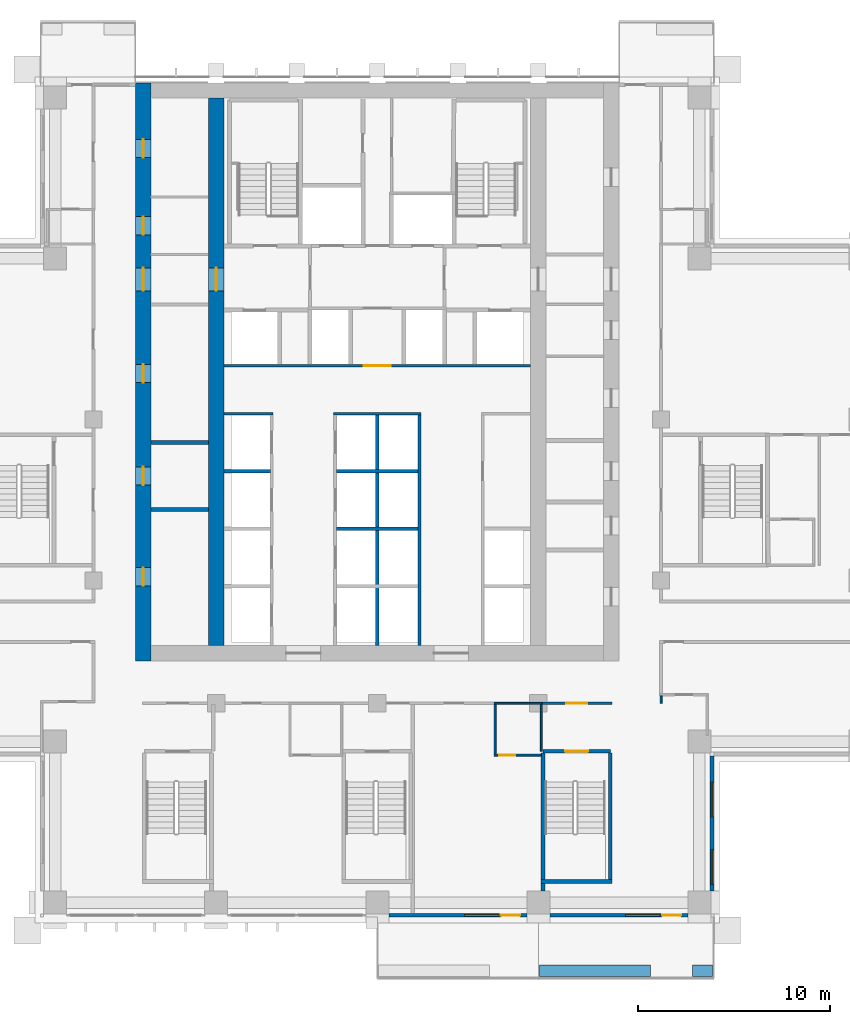
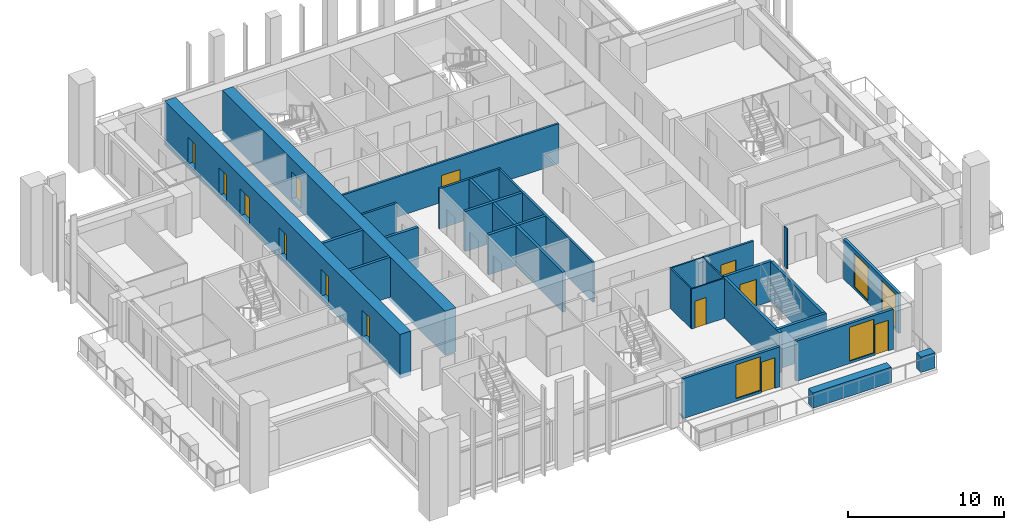
# One storey, part 10 of 19: 27 walls, 13 doors, 4 windows, 17 openings.
"""IFC4 building model written with IfcOpenShell, lengths in metres."""

from ifc_helpers import new_model, si_unit, direction, frame, frame_2d, origin, place, context, subcontext, project, spatial, rectangle, extrude, material, layer, layer_set, type_object, element, fill, save


model = new_model("IFC4")

# Units and contexts
model_context = context("Model", 3, precision=1e-05, world=origin(), true_north=direction((0.0, 1.0)))
body_context = subcontext(model_context, "Body", "Model", "MODEL_VIEW")
ifc_project = project(units=[si_unit("LENGTHUNIT", "METRE"), si_unit("AREAUNIT", "SQUARE_METRE"), si_unit("VOLUMEUNIT", "CUBIC_METRE"), si_unit("PLANEANGLEUNIT", "RADIAN"), si_unit("MASSUNIT", "GRAM", prefix="KILO")], contexts=[model_context])

# Site, building, storey
site_placement = place(None, origin())
site = spatial("IfcSite", under=ifc_project, at=site_placement, CompositionType="ELEMENT")
building_placement = place(site_placement, origin())
building = spatial("IfcBuilding", under=site, at=building_placement, Name="Vermilion Ogive Tower", CompositionType="ELEMENT")
storey_placement = place(building_placement, frame((0.0, 0.0, 104.550048828125)))
storey = spatial("IfcBuildingStorey", under=building, at=storey_placement, Name="L26", CompositionType="ELEMENT", Elevation=104.550048828125)

# Wall, openings, doors
ifc_material_1 = material(Name="Concrete B80", Category="concrete")
ifc_layer_1 = layer(ifc_material_1, 0.800048828125)
ifc_layer_set_1 = layer_set([ifc_layer_1], Name="Core wall 800 B80")
wall_type_1 = type_object("IfcWallType", Name="Core wall 800 B80", PredefinedType="SHEAR", material=ifc_layer_set_1)
wall_1_placement = place(storey_placement, frame((-12.199951171875, -8.39990234375, -0.320068359375), z_axis=(0.0, 0.0, 1.0), x_axis=(0.0, 1.0, 0.0)))
wall_1 = element("IfcWall", 1, at=wall_1_placement, inside=storey, type_object=wall_type_1, Name="L26-CORE-W", PredefinedType="SHEAR", context=body_context, shape_type="SweptSolid", body=[
    extrude(rectangle(XDim=30.14990234375, YDim=0.800048828125, at=frame_2d((15.074951171875, 0.0))), origin(), (0.0, 0.0, 1.0), 3.449951171875),
])
opening_1_placement = place(wall_1_placement, frame((3.925048828125, 0.0, 0.320068359375)))
opening_1 = element("IfcOpeningElement", 2, at=opening_1_placement, cuts=wall_1, Name="Opening DAD051", PredefinedType="OPENING", context=body_context, shape_type="SweptSolid", body=[
    extrude(rectangle(XDim=0.949951171875, YDim=2.10009765625, at=frame_2d((0.47509765625, 1.050048828125))), frame((0.0, 0.409912109375, 0.0), z_axis=(0.0, -1.0, 0.0), x_axis=(1.0, 0.0, 0.0)), (0.0, 0.0, 1.0), 0.820068359375),
])
opening_2_placement = place(wall_1_placement, frame((9.175048828125, 0.0, 0.320068359375)))
opening_2 = element("IfcOpeningElement", 3, at=opening_2_placement, cuts=wall_1, Name="Opening DAD052", PredefinedType="OPENING", context=body_context, shape_type="SweptSolid", body=[
    extrude(rectangle(XDim=0.949951171875, YDim=2.10009765625, at=frame_2d((0.47509765625, 1.050048828125))), frame((0.0, 0.409912109375, 0.0), z_axis=(0.0, -1.0, 0.0), x_axis=(1.0, 0.0, 0.0)), (0.0, 0.0, 1.0), 0.820068359375),
])
opening_3_placement = place(wall_1_placement, frame((14.52490234375, 0.0, 0.320068359375)))
opening_3 = element("IfcOpeningElement", 4, at=opening_3_placement, cuts=wall_1, Name="Opening DAD053", PredefinedType="OPENING", context=body_context, shape_type="SweptSolid", body=[
    extrude(rectangle(XDim=0.949951171875, YDim=2.10009765625, at=frame_2d((0.47509765625, 1.050048828125))), frame((0.0, 0.409912109375, 0.0), z_axis=(0.0, -1.0, 0.0), x_axis=(1.0, 0.0, 0.0)), (0.0, 0.0, 1.0), 0.820068359375),
])
opening_4_placement = place(wall_1_placement, frame((22.22509765625, 0.0, 0.320068359375)))
opening_4 = element("IfcOpeningElement", 5, at=opening_4_placement, cuts=wall_1, Name="Opening DAD054", PredefinedType="OPENING", context=body_context, shape_type="SweptSolid", body=[
    extrude(rectangle(XDim=0.949951171875, YDim=2.10009765625, at=frame_2d((0.47509765625, 1.050048828125))), frame((0.0, 0.409912109375, 0.0), z_axis=(0.0, -1.0, 0.0), x_axis=(1.0, 0.0, 0.0)), (0.0, 0.0, 1.0), 0.820068359375),
])
opening_5_placement = place(wall_1_placement, frame((26.25, 0.0, 0.320068359375)))
opening_5 = element("IfcOpeningElement", 6, at=opening_5_placement, cuts=wall_1, Name="Opening DAD055", PredefinedType="OPENING", context=body_context, shape_type="SweptSolid", body=[
    extrude(rectangle(XDim=0.949951171875, YDim=2.10009765625, at=frame_2d((0.47509765625, 1.050048828125))), frame((0.0, 0.409912109375, 0.0), z_axis=(0.0, -1.0, 0.0), x_axis=(1.0, 0.0, 0.0)), (0.0, 0.0, 1.0), 0.820068359375),
])
opening_6_placement = place(wall_1_placement, frame((19.300048828125, 0.0, 0.320068359375)))
opening_6 = element("IfcOpeningElement", 7, at=opening_6_placement, cuts=wall_1, Name="Opening DAM010", PredefinedType="OPENING", context=body_context, shape_type="SweptSolid", body=[
    extrude(rectangle(XDim=1.199951171875, YDim=2.10009765625, at=frame_2d((0.60009765625, 1.050048828125))), frame((0.0, 0.409912109375, 0.0), z_axis=(0.0, -1.0, 0.0), x_axis=(1.0, 0.0, 0.0)), (0.0, 0.0, 1.0), 0.820068359375),
])
ifc_material_2 = material(Name="Timber door leaf", Category="wood")
door_type_1 = type_object("IfcDoorType", Name="Link door 1200 x 2100 FD60S", OperationType="SINGLE_SWING_LEFT", PredefinedType="DOOR", material=ifc_material_2)
door_1_placement = place(opening_6_placement, origin())
door_1 = element("IfcDoor", 8, at=door_1_placement, inside=storey, type_object=door_type_1, Name="L26-CKW-XL", OperationType="SINGLE_SWING_LEFT", OverallHeight=2.10009765625, OverallWidth=1.199951171875, PredefinedType="DOOR", context=body_context, shape_type="SweptSolid", body=[
    extrude(rectangle(XDim=1.199951171875, YDim=2.10009765625, at=frame_2d((0.60009765625, 1.050048828125))), frame((0.0, 0.02490234375, 0.0), z_axis=(0.0, -1.0, 0.0), x_axis=(1.0, 0.0, 0.0)), (0.0, 0.0, 1.0), 0.050048828125),
])
fill(opening_6, door_1)
ifc_material_3 = material(Name="Timber door leaf", Category="wood")
door_type_2 = type_object("IfcDoorType", Name="Service door 950 x 2100 FD60", OperationType="SINGLE_SWING_LEFT", PredefinedType="DOOR", material=ifc_material_3)
door_2_placement = place(opening_1_placement, origin())
door_2 = element("IfcDoor", 9, at=door_2_placement, inside=storey, type_object=door_type_2, Name="L26-CKW-XR0", OperationType="SINGLE_SWING_LEFT", OverallHeight=2.10009765625, OverallWidth=0.949951171875, PredefinedType="DOOR", context=body_context, shape_type="SweptSolid", body=[
    extrude(rectangle(XDim=0.949951171875, YDim=2.10009765625, at=frame_2d((0.47509765625, 1.050048828125))), frame((0.0, 0.02490234375, 0.0), z_axis=(0.0, -1.0, 0.0), x_axis=(1.0, 0.0, 0.0)), (0.0, 0.0, 1.0), 0.050048828125),
])
fill(opening_1, door_2)
door_3_placement = place(opening_2_placement, origin())
door_3 = element("IfcDoor", 10, at=door_3_placement, inside=storey, type_object=door_type_2, Name="L26-CKW-XR1", OperationType="SINGLE_SWING_LEFT", OverallHeight=2.10009765625, OverallWidth=0.949951171875, PredefinedType="DOOR", context=body_context, shape_type="SweptSolid", body=[
    extrude(rectangle(XDim=0.949951171875, YDim=2.10009765625, at=frame_2d((0.47509765625, 1.050048828125))), frame((0.0, 0.02490234375, 0.0), z_axis=(0.0, -1.0, 0.0), x_axis=(1.0, 0.0, 0.0)), (0.0, 0.0, 1.0), 0.050048828125),
])
fill(opening_2, door_3)
door_4_placement = place(opening_3_placement, origin())
door_4 = element("IfcDoor", 11, at=door_4_placement, inside=storey, type_object=door_type_2, Name="L26-CKW-XR2", OperationType="SINGLE_SWING_LEFT", OverallHeight=2.10009765625, OverallWidth=0.949951171875, PredefinedType="DOOR", context=body_context, shape_type="SweptSolid", body=[
    extrude(rectangle(XDim=0.949951171875, YDim=2.10009765625, at=frame_2d((0.47509765625, 1.050048828125))), frame((0.0, 0.02490234375, 0.0), z_axis=(0.0, -1.0, 0.0), x_axis=(1.0, 0.0, 0.0)), (0.0, 0.0, 1.0), 0.050048828125),
])
fill(opening_3, door_4)
door_5_placement = place(opening_4_placement, origin())
door_5 = element("IfcDoor", 12, at=door_5_placement, inside=storey, type_object=door_type_2, Name="L26-CKW-XR3", OperationType="SINGLE_SWING_LEFT", OverallHeight=2.10009765625, OverallWidth=0.949951171875, PredefinedType="DOOR", context=body_context, shape_type="SweptSolid", body=[
    extrude(rectangle(XDim=0.949951171875, YDim=2.10009765625, at=frame_2d((0.47509765625, 1.050048828125))), frame((0.0, 0.02490234375, 0.0), z_axis=(0.0, -1.0, 0.0), x_axis=(1.0, 0.0, 0.0)), (0.0, 0.0, 1.0), 0.050048828125),
])
fill(opening_4, door_5)
door_6_placement = place(opening_5_placement, origin())
door_6 = element("IfcDoor", 13, at=door_6_placement, inside=storey, type_object=door_type_2, Name="L26-CKW-XR4", OperationType="SINGLE_SWING_LEFT", OverallHeight=2.10009765625, OverallWidth=0.949951171875, PredefinedType="DOOR", context=body_context, shape_type="SweptSolid", body=[
    extrude(rectangle(XDim=0.949951171875, YDim=2.10009765625, at=frame_2d((0.47509765625, 1.050048828125))), frame((0.0, 0.02490234375, 0.0), z_axis=(0.0, -1.0, 0.0), x_axis=(1.0, 0.0, 0.0)), (0.0, 0.0, 1.0), 0.050048828125),
])
fill(opening_5, door_6)

# Wall, opening, door
wall_2_placement = place(storey_placement, frame((-8.39990234375, -7.60009765625, -0.320068359375), z_axis=(0.0, 0.0, 1.0), x_axis=(0.0, 1.0, 0.0)))
wall_2 = element("IfcWall", 14, at=wall_2_placement, inside=storey, type_object=wall_type_1, Name="L26-CORE-WEB1", PredefinedType="SHEAR", context=body_context, shape_type="SweptSolid", body=[
    extrude(rectangle(XDim=28.550048828125, YDim=0.800048828125, at=frame_2d((14.27490234375, 0.0))), origin(), (0.0, 0.0, 1.0), 3.449951171875),
])
opening_7_placement = place(wall_2_placement, frame((18.5, 0.0, 0.320068359375)))
opening_7 = element("IfcOpeningElement", 15, at=opening_7_placement, cuts=wall_2, Name="Opening DAP010", PredefinedType="OPENING", context=body_context, shape_type="SweptSolid", body=[
    extrude(rectangle(XDim=1.199951171875, YDim=2.10009765625, at=frame_2d((0.60009765625, 1.050048828125))), frame((0.0, 0.409912109375, 0.0), z_axis=(0.0, -1.0, 0.0), x_axis=(1.0, 0.0, 0.0)), (0.0, 0.0, 1.0), 0.820068359375),
])
door_7_placement = place(opening_7_placement, origin())
door_7 = element("IfcDoor", 16, at=door_7_placement, inside=storey, type_object=door_type_1, Name="L26-CKW-XW", OperationType="SINGLE_SWING_LEFT", OverallHeight=2.10009765625, OverallWidth=1.199951171875, PredefinedType="DOOR", context=body_context, shape_type="SweptSolid", body=[
    extrude(rectangle(XDim=1.199951171875, YDim=2.10009765625, at=frame_2d((0.60009765625, 1.050048828125))), frame((0.0, 0.02490234375, 0.0), z_axis=(0.0, -1.0, 0.0), x_axis=(1.0, 0.0, 0.0)), (0.0, 0.0, 1.0), 0.050048828125),
])
fill(opening_7, door_7)

ifc_material_4 = material(Name="Gypsum board partition on steel studs", Category="steel")
ifc_layer_2 = layer(ifc_material_4, 0.10009765625)
ifc_layer_set_2 = layer_set([ifc_layer_2], Name="Partition 100 bath")
wall_type_2 = type_object("IfcWallType", Name="Partition 100 bath", PredefinedType="PARTITIONING", material=ifc_layer_set_2)
wall_3_placement = place(storey_placement, frame((6.10009765625, -13.300048828125, 0.0), z_axis=(0.0, 0.0, 1.0), x_axis=(1.0, 0.0, 0.0)))
wall_3 = element("IfcWall", 17, at=wall_3_placement, inside=storey, type_object=wall_type_2, Name="L26-W-W003", PredefinedType="PARTITIONING", context=body_context, shape_type="SweptSolid", body=[
    extrude(rectangle(XDim=2.449951171875, YDim=0.10009765625, at=frame_2d((1.22509765625, 0.0))), origin(), (0.0, 0.0, 1.0), 3.1298828125),
])
opening_8_placement = place(wall_3_placement, frame((0.25, 0.0, 0.0)))
opening_8 = element("IfcOpeningElement", 18, at=opening_8_placement, cuts=wall_3, Name="Opening D2G4012", PredefinedType="OPENING", context=body_context, shape_type="SweptSolid", body=[
    extrude(rectangle(XDim=0.85009765625, YDim=2.10009765625, at=frame_2d((0.425048828125, 1.050048828125))), frame((0.0, 0.06005859375, 0.0), z_axis=(0.0, -1.0, 0.0), x_axis=(1.0, 0.0, 0.0)), (0.0, 0.0, 1.0), 0.1201171875),
])
ifc_material_5 = material(Name="Timber door leaf", Category="wood")
door_type_3 = type_object("IfcDoorType", Name="Bath door 850 x 2100 FD30", OperationType="SINGLE_SWING_LEFT", PredefinedType="DOOR", material=ifc_material_5)
door_8_placement = place(opening_8_placement, origin())
door_8 = element("IfcDoor", 19, at=door_8_placement, inside=storey, type_object=door_type_3, Name="L26-D-D012", OperationType="SINGLE_SWING_LEFT", OverallHeight=2.10009765625, OverallWidth=0.85009765625, PredefinedType="DOOR", context=body_context, shape_type="SweptSolid", body=[
    extrude(rectangle(XDim=0.85009765625, YDim=2.10009765625, at=frame_2d((0.425048828125, 1.050048828125))), frame((0.0, 0.02490234375, 0.0), z_axis=(0.0, -1.0, 0.0), x_axis=(1.0, 0.0, 0.0)), (0.0, 0.0, 1.0), 0.050048828125),
])
fill(opening_8, door_8)

# Walls
wall_4_placement = place(storey_placement, frame((6.10009765625, -10.60009765625, 0.0), z_axis=(0.0, 0.0, 1.0), x_axis=(1.0, 0.0, 0.0)))
element("IfcWall", 20, at=wall_4_placement, inside=storey, type_object=wall_type_2, Name="L26-W-W010", PredefinedType="PARTITIONING", context=body_context, shape_type="SweptSolid", body=[
    extrude(rectangle(XDim=2.5, YDim=0.10009765625, at=frame_2d((1.25, 0.0))), origin(), (0.0, 0.0, 1.0), 3.1298828125),
])
wall_5_placement = place(storey_placement, frame((6.14990234375, -13.25, 0.0), z_axis=(0.0, 0.0, 1.0), x_axis=(0.0, 1.0, 0.0)))
element("IfcWall", 21, at=wall_5_placement, inside=storey, type_object=wall_type_2, Name="L26-W-W051", PredefinedType="PARTITIONING", context=body_context, shape_type="SweptSolid", body=[
    extrude(rectangle(XDim=2.574951171875, YDim=0.10009765625, at=frame_2d((1.28759765625, 0.0))), origin(), (0.0, 0.0, 1.0), 3.1298828125),
])
wall_6_placement = place(storey_placement, frame((8.550048828125, -13.10009765625, 0.0), z_axis=(0.0, 0.0, 1.0), x_axis=(0.0, 1.0, 0.0)))
element("IfcWall", 22, at=wall_6_placement, inside=storey, type_object=wall_type_2, Name="L26-W-W052", PredefinedType="PARTITIONING", context=body_context, shape_type="SweptSolid", body=[
    extrude(rectangle(XDim=2.425048828125, YDim=0.10009765625, at=frame_2d((1.21240234375, 0.0))), origin(), (0.0, 0.0, 1.0), 3.1298828125),
])
wall_7_placement = place(storey_placement, frame((14.800048828125, -10.60009765625, 0.0), z_axis=(0.0, 0.0, 1.0), x_axis=(0.0, 1.0, 0.0)))
element("IfcWall", 23, at=wall_7_placement, inside=storey, type_object=wall_type_2, Name="L26-W-W053", PredefinedType="PARTITIONING", context=body_context, shape_type="SweptSolid", body=[
    extrude(rectangle(XDim=0.39013671875, YDim=0.10009765625, at=frame_2d((0.195068359375, 0.0))), origin(), (0.0, 0.0, 1.0), 3.1298828125),
])

# Wall, opening, door
ifc_material_6 = material(Name="Gypsum board partition on steel studs", Category="steel")
ifc_layer_3 = layer(ifc_material_6, 0.14990234375)
ifc_layer_set_3 = layer_set([ifc_layer_3], Name="Partition 150 corridor")
wall_type_3 = type_object("IfcWallType", Name="Partition 150 corridor", PredefinedType="PARTITIONING", material=ifc_layer_set_3)
wall_8_placement = place(storey_placement, frame((8.5, -10.60009765625, 0.0), z_axis=(0.0, 0.0, 1.0), x_axis=(1.0, 0.0, 0.0)))
wall_8 = element("IfcWall", 24, at=wall_8_placement, inside=storey, type_object=wall_type_3, Name="L26-W-W011", PredefinedType="PARTITIONING", context=body_context, shape_type="SweptSolid", body=[
    extrude(rectangle(XDim=3.75, YDim=0.14990234375, at=frame_2d((1.875, 0.0))), origin(), (0.0, 0.0, 1.0), 3.1298828125),
])
opening_9_placement = place(wall_8_placement, frame((1.35009765625, 0.0, 0.0)))
opening_9 = element("IfcOpeningElement", 25, at=opening_9_placement, cuts=wall_8, Name="Opening D2G4025", PredefinedType="OPENING", context=body_context, shape_type="SweptSolid", body=[
    extrude(rectangle(XDim=1.10009765625, YDim=2.10009765625, at=frame_2d((0.550048828125, 1.050048828125))), frame((0.0, 0.0849609375, 0.0), z_axis=(0.0, -1.0, 0.0), x_axis=(1.0, 0.0, 0.0)), (0.0, 0.0, 1.0), 0.169921875),
])
ifc_material_7 = material(Name="Timber door leaf", Category="wood")
door_type_4 = type_object("IfcDoorType", Name="Stair door 1100 x 2100 FD60S", OperationType="SINGLE_SWING_LEFT", PredefinedType="DOOR", material=ifc_material_7)
door_9_placement = place(opening_9_placement, origin())
door_9 = element("IfcDoor", 26, at=door_9_placement, inside=storey, type_object=door_type_4, Name="L26-D-D025", OperationType="SINGLE_SWING_RIGHT", OverallHeight=2.10009765625, OverallWidth=1.10009765625, PredefinedType="DOOR", context=body_context, shape_type="SweptSolid", body=[
    extrude(rectangle(XDim=1.10009765625, YDim=2.10009765625, at=frame_2d((0.550048828125, 1.050048828125))), frame((0.0, 0.02490234375, 0.0), z_axis=(0.0, -1.0, 0.0), x_axis=(1.0, 0.0, 0.0)), (0.0, 0.0, 1.0), 0.050048828125),
])
fill(opening_9, door_9)

# Walls
wall_9_placement = place(storey_placement, frame((-7.9990234375, 4.5, 0.0), z_axis=(0.0, 0.0, 1.0), x_axis=(1.0, 0.0, 0.0)))
element("IfcWall", 27, at=wall_9_placement, inside=storey, type_object=wall_type_3, Name="L26-CK-W-W009", PredefinedType="PARTITIONING", context=body_context, shape_type="SweptSolid", body=[
    extrude(rectangle(XDim=2.573974609375, YDim=0.14990234375, at=frame_2d((1.287109375, 0.0))), origin(), (0.0, 0.0, 1.0), 3.1298828125),
])
wall_10_placement = place(storey_placement, frame((-2.27490234375, 4.5, 0.0), z_axis=(0.0, 0.0, 1.0), x_axis=(1.0, 0.0, 0.0)))
element("IfcWall", 28, at=wall_10_placement, inside=storey, type_object=wall_type_3, Name="L26-CK-W-W010", PredefinedType="PARTITIONING", context=body_context, shape_type="SweptSolid", body=[
    extrude(rectangle(XDim=4.5498046875, YDim=0.14990234375, at=frame_2d((2.27490234375, 0.0))), origin(), (0.0, 0.0, 1.0), 3.1298828125),
])

# Wall, opening, door
wall_11_placement = place(storey_placement, frame((-7.9990234375, 7.0, 0.0), z_axis=(0.0, 0.0, 1.0), x_axis=(1.0, 0.0, 0.0)))
wall_11 = element("IfcWall", 29, at=wall_11_placement, inside=storey, type_object=wall_type_3, Name="L26-CK-W-W012", PredefinedType="PARTITIONING", context=body_context, shape_type="SweptSolid", body=[
    extrude(rectangle(XDim=15.998046875, YDim=0.14990234375, at=frame_2d((7.9990234375, 0.0))), origin(), (0.0, 0.0, 1.0), 3.1298828125),
])
opening_10_placement = place(wall_11_placement, frame((7.299072265625, 0.0, 0.0)))
opening_10 = element("IfcOpeningElement", 30, at=opening_10_placement, cuts=wall_11, Name="Opening DAA210", PredefinedType="OPENING", context=body_context, shape_type="SweptSolid", body=[
    extrude(rectangle(XDim=1.39990234375, YDim=2.10009765625, at=frame_2d((0.699951171875, 1.050048828125))), frame((0.0, 0.0849609375, 0.0), z_axis=(0.0, -1.0, 0.0), x_axis=(1.0, 0.0, 0.0)), (0.0, 0.0, 1.0), 0.169921875),
])
ifc_material_8 = material(Name="Timber door leaf", Category="wood")
door_type_5 = type_object("IfcDoorType", Name="Lobby door 1400 x 2100 FD60S", OperationType="SINGLE_SWING_LEFT", PredefinedType="DOOR", material=ifc_material_8)
door_10_placement = place(opening_10_placement, origin())
door_10 = element("IfcDoor", 31, at=door_10_placement, inside=storey, type_object=door_type_5, Name="L26-CK-D-D014", OperationType="SINGLE_SWING_RIGHT", OverallHeight=2.10009765625, OverallWidth=1.39990234375, PredefinedType="DOOR", context=body_context, shape_type="SweptSolid", body=[
    extrude(rectangle(XDim=1.39990234375, YDim=2.10009765625, at=frame_2d((0.699951171875, 1.050048828125))), frame((0.0, 0.02490234375, 0.0), z_axis=(0.0, -1.0, 0.0), x_axis=(1.0, 0.0, 0.0)), (0.0, 0.0, 1.0), 0.050048828125),
])
fill(opening_10, door_10)

# Walls
wall_12_placement = place(storey_placement, frame((2.199951171875, -7.59912109375, 0.0), z_axis=(0.0, 0.0, 1.0), x_axis=(0.0, 1.0, 0.0)))
element("IfcWall", 32, at=wall_12_placement, inside=storey, type_object=wall_type_3, Name="L26-CK-W-W033", PredefinedType="PARTITIONING", context=body_context, shape_type="SweptSolid", body=[
    extrude(rectangle(XDim=12.024169921875, YDim=0.14990234375, at=frame_2d((6.01220703125, 0.0))), origin(), (0.0, 0.0, 1.0), 3.1298828125),
])
ifc_material_9 = material(Name="Gypsum board partition on steel studs", Category="steel")
ifc_layer_4 = layer(ifc_material_9, 0.199951171875)
ifc_layer_set_4 = layer_set([ifc_layer_4], Name="Partition 200 party")
wall_type_4 = type_object("IfcWallType", Name="Partition 200 party", PredefinedType="PARTITIONING", material=ifc_layer_set_4)
wall_13_placement = place(storey_placement, frame((-2.125, -1.5, 0.0), z_axis=(0.0, 0.0, 1.0), x_axis=(1.0, 0.0, 0.0)))
element("IfcWall", 33, at=wall_13_placement, inside=storey, type_object=wall_type_4, Name="L26-CK-W-W005", PredefinedType="PARTITIONING", context=body_context, shape_type="SweptSolid", body=[
    extrude(rectangle(XDim=4.25, YDim=0.199951171875, at=frame_2d((2.125, 0.0))), origin(), (0.0, 0.0, 1.0), 3.1298828125),
])
wall_14_placement = place(storey_placement, frame((-7.9990234375, 1.5, 0.0), z_axis=(0.0, 0.0, 1.0), x_axis=(1.0, 0.0, 0.0)))
element("IfcWall", 34, at=wall_14_placement, inside=storey, type_object=wall_type_4, Name="L26-CK-W-W007", PredefinedType="PARTITIONING", context=body_context, shape_type="SweptSolid", body=[
    extrude(rectangle(XDim=2.424072265625, YDim=0.199951171875, at=frame_2d((1.2119140625, 0.0))), origin(), (0.0, 0.0, 1.0), 3.1298828125),
])
wall_15_placement = place(storey_placement, frame((-2.125, 1.5, 0.0), z_axis=(0.0, 0.0, 1.0), x_axis=(1.0, 0.0, 0.0)))
element("IfcWall", 35, at=wall_15_placement, inside=storey, type_object=wall_type_4, Name="L26-CK-W-W008", PredefinedType="PARTITIONING", context=body_context, shape_type="SweptSolid", body=[
    extrude(rectangle(XDim=4.25, YDim=0.199951171875, at=frame_2d((2.125, 0.0))), origin(), (0.0, 0.0, 1.0), 3.1298828125),
])
wall_16_placement = place(storey_placement, frame((0.0, -7.59912109375, 0.0), z_axis=(0.0, 0.0, 1.0), x_axis=(0.0, 1.0, 0.0)))
element("IfcWall", 36, at=wall_16_placement, inside=storey, type_object=wall_type_4, Name="L26-CK-W-W029", PredefinedType="PARTITIONING", context=body_context, shape_type="SweptSolid", body=[
    extrude(rectangle(XDim=12.024169921875, YDim=0.199951171875, at=frame_2d((6.01220703125, 0.0))), origin(), (0.0, 0.0, 1.0), 3.1298828125),
])
for number, where, z_axis, x_axis, name in (
    (37, (-11.799072265625, -0.5, 0.0), (0.0, 0.0, 1.0), (1.0, 0.0, 0.0), "L26-CKW-W-W001"),
    (38, (-11.799072265625, 3.0, 0.0), (0.0, 0.0, 1.0), (1.0, 0.0, 0.0), "L26-CKW-W-W002"),
):
    element("IfcWall", number, at=place(storey_placement, frame(where, z_axis=z_axis, x_axis=x_axis)), inside=storey, type_object=wall_type_4, Name=name, PredefinedType="PARTITIONING", context=body_context, shape_type="SweptSolid", body=[
        extrude(rectangle(XDim=2.998046875, YDim=0.199951171875, at=frame_2d((1.4990234375, 0.0))), origin(), (0.0, 0.0, 1.0), 3.1298828125),
    ])

# Wall, opening, door
ifc_material_10 = material(Name="Concrete B60", Category="concrete")
ifc_layer_5 = layer(ifc_material_10, 0.199951171875)
ifc_layer_set_5 = layer_set([ifc_layer_5], Name="Stair shaft wall 200 Concrete B60")
wall_type_5 = type_object("IfcWallType", Name="Stair shaft wall 200 Concrete B60", PredefinedType="SOLIDWALL", material=ifc_layer_set_5)
wall_17_placement = place(storey_placement, frame((8.64990234375, -13.10009765625, 0.0), z_axis=(0.0, 0.0, 1.0), x_axis=(1.0, 0.0, 0.0)))
wall_17 = element("IfcWall", 39, at=wall_17_placement, inside=storey, type_object=wall_type_5, Name="L26-W-W006", PredefinedType="SOLIDWALL", context=body_context, shape_type="SweptSolid", body=[
    extrude(rectangle(XDim=3.5, YDim=0.199951171875, at=frame_2d((1.75, 0.0))), origin(), (0.0, 0.0, 1.0), 3.1298828125),
])
opening_11_placement = place(wall_17_placement, frame((1.150146484375, 0.0, 0.0)))
opening_11 = element("IfcOpeningElement", 40, at=opening_11_placement, cuts=wall_17, Name="Opening D2G4026", PredefinedType="OPENING", context=body_context, shape_type="SweptSolid", body=[
    extrude(rectangle(XDim=1.199951171875, YDim=2.10009765625, at=frame_2d((0.60009765625, 1.050048828125))), frame((0.0, 0.10986328125, 0.0), z_axis=(0.0, -1.0, 0.0), x_axis=(1.0, 0.0, 0.0)), (0.0, 0.0, 1.0), 0.219970703125),
])
ifc_material_11 = material(Name="Timber door leaf", Category="wood")
door_type_6 = type_object("IfcDoorType", Name="Stair door 1200 x 2100 FD60S", OperationType="SINGLE_SWING_LEFT", PredefinedType="DOOR", material=ifc_material_11)
door_11_placement = place(opening_11_placement, origin())
door_11 = element("IfcDoor", 41, at=door_11_placement, inside=storey, type_object=door_type_6, Name="L26-D-D026", OperationType="SINGLE_SWING_RIGHT", OverallHeight=2.10009765625, OverallWidth=1.199951171875, PredefinedType="DOOR", context=body_context, shape_type="SweptSolid", body=[
    extrude(rectangle(XDim=1.199951171875, YDim=2.10009765625, at=frame_2d((0.60009765625, 1.050048828125))), frame((0.0, 0.02490234375, 0.0), z_axis=(0.0, -1.0, 0.0), x_axis=(1.0, 0.0, 0.0)), (0.0, 0.0, 1.0), 0.050048828125),
])
fill(opening_11, door_11)

# Walls
wall_18_placement = place(storey_placement, frame((8.550048828125, -19.89990234375, 0.0), z_axis=(0.0, 0.0, 1.0), x_axis=(1.0, 0.0, 0.0)))
element("IfcWall", 42, at=wall_18_placement, inside=storey, type_object=wall_type_5, Name="L26-SW-ST5-S1", PredefinedType="SOLIDWALL", context=body_context, shape_type="SweptSolid", body=[
    extrude(rectangle(XDim=3.699951171875, YDim=0.199951171875, at=frame_2d((1.85009765625, 0.0))), origin(), (0.0, 0.0, 1.0), 3.1298828125),
])
wall_19_placement = place(storey_placement, frame((12.14990234375, -19.800048828125, 0.0), z_axis=(0.0, 0.0, 1.0), x_axis=(0.0, 1.0, 0.0)))
element("IfcWall", 43, at=wall_19_placement, inside=storey, type_object=wall_type_5, Name="L26-SW-ST5-E1", PredefinedType="SOLIDWALL", context=body_context, shape_type="SweptSolid", body=[
    extrude(rectangle(XDim=6.60009765625, YDim=0.199951171875, at=frame_2d((3.300048828125, 0.0))), origin(), (0.0, 0.0, 1.0), 3.1298828125),
])
wall_20_placement = place(storey_placement, frame((8.64990234375, -20.39990234375, 0.0), z_axis=(0.0, 0.0, 1.0), x_axis=(0.0, 1.0, 0.0)))
element("IfcWall", 44, at=wall_20_placement, inside=storey, type_object=wall_type_5, Name="L26-SW-ST5-W1-A", PredefinedType="SOLIDWALL", context=body_context, shape_type="SweptSolid", body=[
    extrude(rectangle(XDim=7.197998046875, YDim=0.199951171875, at=frame_2d((3.59912109375, 0.0))), origin(), (0.0, 0.0, 1.0), 3.1298828125),
])
ifc_material_12 = material(Name="Concrete B40", Category="concrete")
ifc_layer_6 = layer(ifc_material_12, 0.60009765625)
ifc_layer_set_6 = layer_set([ifc_layer_6], Name="Structural planter")
wall_type_6 = type_object("IfcWallType", Name="Structural planter", PredefinedType="USERDEFINED", material=ifc_layer_set_6)
wall_21_placement = place(storey_placement, frame((8.4599609375, -24.550048828125, -0.0400390625), z_axis=(0.0, 0.0, 1.0), x_axis=(1.0, 0.0, 0.0)))
element("IfcWall", 45, at=wall_21_placement, inside=storey, type_object=wall_type_6, Name="Planter S04A1", ObjectType="PLANTER", PredefinedType="USERDEFINED", context=body_context, shape_type="SweptSolid", body=[
    extrude(rectangle(XDim=5.7900390625, YDim=0.60009765625, at=frame_2d((2.89501953125, 0.0))), origin(), (0.0, 0.0, 1.0), 1.199951171875),
])
wall_22_placement = place(storey_placement, frame((16.449951171875, -24.550048828125, -0.0400390625), z_axis=(0.0, 0.0, 1.0), x_axis=(1.0, 0.0, 0.0)))
element("IfcWall", 46, at=wall_22_placement, inside=storey, type_object=wall_type_6, Name="Planter S04A2", ObjectType="PLANTER", PredefinedType="USERDEFINED", context=body_context, shape_type="SweptSolid", body=[
    extrude(rectangle(XDim=1.0400390625, YDim=0.60009765625, at=frame_2d((0.52001953125, 0.0))), origin(), (0.0, 0.0, 1.0), 1.199951171875),
])

# Wall, openings, door, window
ifc_material_13 = material(Name="Aluminium window wall framing", Category="aluminium")
ifc_layer_7 = layer(ifc_material_13, 0.199951171875)
ifc_layer_set_7 = layer_set([ifc_layer_7], Name="Window wall")
wall_type_7 = type_object("IfcWallType", Name="Window wall", PredefinedType="STANDARD", material=ifc_layer_set_7)
wall_23_placement = place(storey_placement, frame((0.60009765625, -21.64990234375, 0.0), z_axis=(0.0, 0.0, 1.0), x_axis=(1.0, 0.0, 0.0)))
wall_23 = element("IfcWall", 47, at=wall_23_placement, inside=storey, type_object=wall_type_7, Name="Window wall S3", PredefinedType="STANDARD", context=body_context, shape_type="SweptSolid", body=[
    extrude(rectangle(XDim=7.199951171875, YDim=0.199951171875, at=frame_2d((3.60009765625, 0.0))), origin(), (0.0, 0.0, 1.0), 3.1298828125),
])
opening_12_placement = place(wall_23_placement, frame((3.949951171875, 0.0, 0.199951171875)))
opening_12 = element("IfcOpeningElement", 48, at=opening_12_placement, cuts=wall_23, Name="Opening W1-S01", PredefinedType="OPENING", context=body_context, shape_type="SweptSolid", body=[
    extrude(rectangle(XDim=1.800048828125, YDim=2.64990234375, at=frame_2d((0.89990234375, 1.324951171875))), frame((0.0, 0.10986328125, 0.0), z_axis=(0.0, -1.0, 0.0), x_axis=(1.0, 0.0, 0.0)), (0.0, 0.0, 1.0), 0.219970703125),
])
opening_13_placement = place(wall_23_placement, frame((5.85009765625, 0.0, 0.0)))
opening_13 = element("IfcOpeningElement", 49, at=opening_13_placement, cuts=wall_23, Name="Opening D1-S01", PredefinedType="OPENING", context=body_context, shape_type="SweptSolid", body=[
    extrude(rectangle(XDim=1.0, YDim=2.39990234375, at=frame_2d((0.5, 1.199951171875))), frame((0.0, 0.10986328125, 0.0), z_axis=(0.0, -1.0, 0.0), x_axis=(1.0, 0.0, 0.0)), (0.0, 0.0, 1.0), 0.219970703125),
])
ifc_material_14 = material(Name="Aluminium framed glazed door", Category="aluminium")
door_type_7 = type_object("IfcDoorType", Name="Balcony door D1", OperationType="SINGLE_SWING_LEFT", PredefinedType="DOOR", material=ifc_material_14)
door_12_placement = place(opening_13_placement, origin())
door_12 = element("IfcDoor", 50, at=door_12_placement, inside=storey, type_object=door_type_7, Name="Balcony door S01", OperationType="SINGLE_SWING_LEFT", OverallHeight=2.39990234375, OverallWidth=1.0, PredefinedType="DOOR", context=body_context, shape_type="SweptSolid", body=[
    extrude(rectangle(XDim=1.0, YDim=2.39990234375, at=frame_2d((0.5, 1.199951171875))), frame((0.0, 0.02490234375, 0.0), z_axis=(0.0, -1.0, 0.0), x_axis=(1.0, 0.0, 0.0)), (0.0, 0.0, 1.0), 0.050048828125),
])
fill(opening_13, door_12)
ifc_material_15 = material(Name="Aluminium framed double glazing", Category="aluminium")
window_type = type_object("IfcWindowType", Name="Guest window W1", PartitioningType="SINGLE_PANEL", PredefinedType="WINDOW", material=ifc_material_15)
window_1_placement = place(opening_12_placement, origin())
window_1 = element("IfcWindow", 51, at=window_1_placement, inside=storey, type_object=window_type, Name="Window S01", OverallHeight=2.64990234375, OverallWidth=1.800048828125, PartitioningType="SINGLE_PANEL", PredefinedType="WINDOW", context=body_context, shape_type="SweptSolid", body=[
    extrude(rectangle(XDim=1.800048828125, YDim=2.64990234375, at=frame_2d((0.89990234375, 1.324951171875))), frame((0.0, 0.030029296875, 0.0), z_axis=(0.0, -1.0, 0.0), x_axis=(1.0, 0.0, 0.0)), (0.0, 0.0, 1.0), 0.06005859375),
])
fill(opening_12, window_1)

wall_24_placement = place(storey_placement, frame((9.0, -21.64990234375, 0.0), z_axis=(0.0, 0.0, 1.0), x_axis=(1.0, 0.0, 0.0)))
wall_24 = element("IfcWall", 52, at=wall_24_placement, inside=storey, type_object=wall_type_7, Name="Window wall S4", PredefinedType="STANDARD", context=body_context, shape_type="SweptSolid", body=[
    extrude(rectangle(XDim=7.199951171875, YDim=0.199951171875, at=frame_2d((3.60009765625, 0.0))), origin(), (0.0, 0.0, 1.0), 3.1298828125),
])
opening_14_placement = place(wall_24_placement, frame((3.949951171875, 0.0, 0.199951171875)))
opening_14 = element("IfcOpeningElement", 53, at=opening_14_placement, cuts=wall_24, Name="Opening W1-S03", PredefinedType="OPENING", context=body_context, shape_type="SweptSolid", body=[
    extrude(rectangle(XDim=1.800048828125, YDim=2.64990234375, at=frame_2d((0.89990234375, 1.324951171875))), frame((0.0, 0.10986328125, 0.0), z_axis=(0.0, -1.0, 0.0), x_axis=(1.0, 0.0, 0.0)), (0.0, 0.0, 1.0), 0.219970703125),
])
opening_15_placement = place(wall_24_placement, frame((5.85009765625, 0.0, 0.0)))
opening_15 = element("IfcOpeningElement", 54, at=opening_15_placement, cuts=wall_24, Name="Opening D1-S03", PredefinedType="OPENING", context=body_context, shape_type="SweptSolid", body=[
    extrude(rectangle(XDim=1.0, YDim=2.39990234375, at=frame_2d((0.5, 1.199951171875))), frame((0.0, 0.10986328125, 0.0), z_axis=(0.0, -1.0, 0.0), x_axis=(1.0, 0.0, 0.0)), (0.0, 0.0, 1.0), 0.219970703125),
])
door_13_placement = place(opening_15_placement, origin())
door_13 = element("IfcDoor", 55, at=door_13_placement, inside=storey, type_object=door_type_7, Name="Balcony door S03", OperationType="SINGLE_SWING_LEFT", OverallHeight=2.39990234375, OverallWidth=1.0, PredefinedType="DOOR", context=body_context, shape_type="SweptSolid", body=[
    extrude(rectangle(XDim=1.0, YDim=2.39990234375, at=frame_2d((0.5, 1.199951171875))), frame((0.0, 0.02490234375, 0.0), z_axis=(0.0, -1.0, 0.0), x_axis=(1.0, 0.0, 0.0)), (0.0, 0.0, 1.0), 0.050048828125),
])
fill(opening_15, door_13)
window_2_placement = place(opening_14_placement, origin())
window_2 = element("IfcWindow", 56, at=window_2_placement, inside=storey, type_object=window_type, Name="Window S03", OverallHeight=2.64990234375, OverallWidth=1.800048828125, PartitioningType="SINGLE_PANEL", PredefinedType="WINDOW", context=body_context, shape_type="SweptSolid", body=[
    extrude(rectangle(XDim=1.800048828125, YDim=2.64990234375, at=frame_2d((0.89990234375, 1.324951171875))), frame((0.0, 0.030029296875, 0.0), z_axis=(0.0, -1.0, 0.0), x_axis=(1.0, 0.0, 0.0)), (0.0, 0.0, 1.0), 0.06005859375),
])
fill(opening_14, window_2)

# Wall, openings, windows
wall_25_placement = place(storey_placement, frame((17.449951171875, -20.39990234375, 0.0), z_axis=(0.0, 0.0, 1.0), x_axis=(0.0, 1.0, 0.0)))
wall_25 = element("IfcWall", 57, at=wall_25_placement, inside=storey, type_object=wall_type_7, Name="Window wall X11", PredefinedType="STANDARD", context=body_context, shape_type="SweptSolid", body=[
    extrude(rectangle(XDim=7.0498046875, YDim=0.199951171875, at=frame_2d((3.52490234375, 0.0))), origin(), (0.0, 0.0, 1.0), 3.1298828125),
])
opening_16_placement = place(wall_25_placement, frame((0.35009765625, 0.0, 0.199951171875)))
opening_16 = element("IfcOpeningElement", 58, at=opening_16_placement, cuts=wall_25, Name="Opening W1-X195", PredefinedType="OPENING", context=body_context, shape_type="SweptSolid", body=[
    extrude(rectangle(XDim=1.800048828125, YDim=2.64990234375, at=frame_2d((0.89990234375, 1.324951171875))), frame((0.0, 0.10986328125, 0.0), z_axis=(0.0, -1.0, 0.0), x_axis=(1.0, 0.0, 0.0)), (0.0, 0.0, 1.0), 0.219970703125),
])
opening_17_placement = place(wall_25_placement, frame((3.875, 0.0, 0.199951171875)))
opening_17 = element("IfcOpeningElement", 59, at=opening_17_placement, cuts=wall_25, Name="Opening W1-X196", PredefinedType="OPENING", context=body_context, shape_type="SweptSolid", body=[
    extrude(rectangle(XDim=1.800048828125, YDim=2.64990234375, at=frame_2d((0.89990234375, 1.324951171875))), frame((0.0, 0.10986328125, 0.0), z_axis=(0.0, -1.0, 0.0), x_axis=(1.0, 0.0, 0.0)), (0.0, 0.0, 1.0), 0.219970703125),
])
window_3_placement = place(opening_16_placement, origin())
window_3 = element("IfcWindow", 60, at=window_3_placement, inside=storey, type_object=window_type, Name="Window X195", OverallHeight=2.64990234375, OverallWidth=1.800048828125, PartitioningType="SINGLE_PANEL", PredefinedType="WINDOW", context=body_context, shape_type="SweptSolid", body=[
    extrude(rectangle(XDim=1.800048828125, YDim=2.64990234375, at=frame_2d((0.89990234375, 1.324951171875))), frame((0.0, 0.030029296875, 0.0), z_axis=(0.0, -1.0, 0.0), x_axis=(1.0, 0.0, 0.0)), (0.0, 0.0, 1.0), 0.06005859375),
])
fill(opening_16, window_3)
window_4_placement = place(opening_17_placement, origin())
window_4 = element("IfcWindow", 61, at=window_4_placement, inside=storey, type_object=window_type, Name="Window X196", OverallHeight=2.64990234375, OverallWidth=1.800048828125, PartitioningType="SINGLE_PANEL", PredefinedType="WINDOW", context=body_context, shape_type="SweptSolid", body=[
    extrude(rectangle(XDim=1.800048828125, YDim=2.64990234375, at=frame_2d((0.89990234375, 1.324951171875))), frame((0.0, 0.030029296875, 0.0), z_axis=(0.0, -1.0, 0.0), x_axis=(1.0, 0.0, 0.0)), (0.0, 0.0, 1.0), 0.06005859375),
])
fill(opening_17, window_4)

save(model, "model.ifc")
